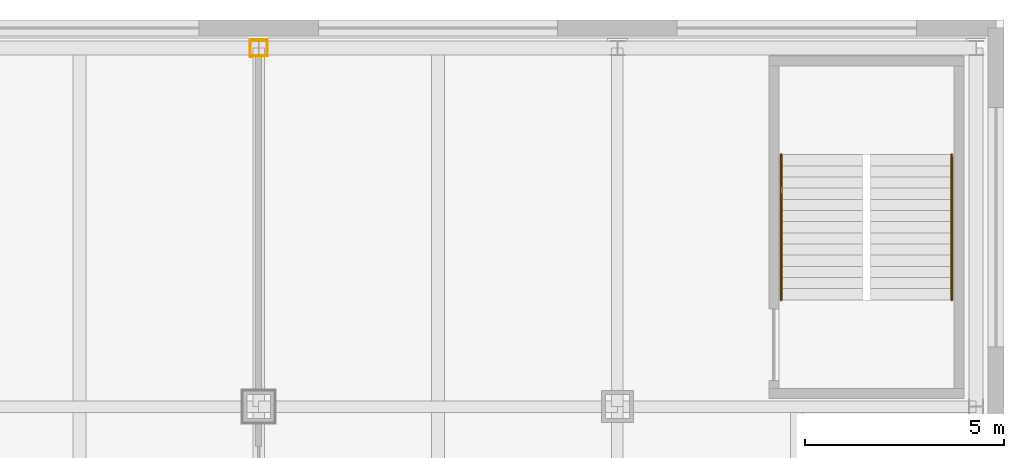
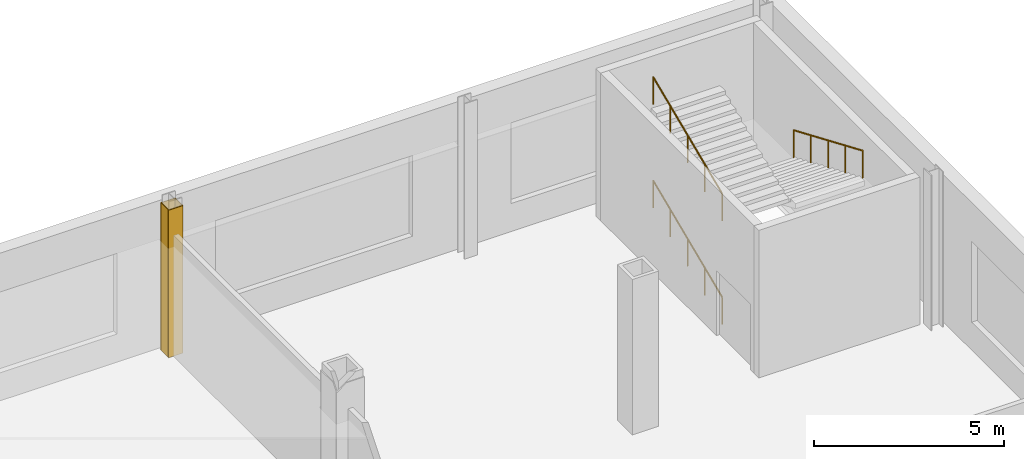
# One storey, part 31 of 31: 4 coverings, 3 railings.
"""IFC4 building model written with IfcOpenShell, lengths in metres."""

import ifcopenshell
import ifcopenshell.guid

model = None  # the IFC model being written
_history = None  # IfcOwnerHistory: only IFC2X3 demands one
_inside = {}  # id of a spatial element -> (the spatial element, [elements in it])
_under = {}  # id of a project, library or spatial element -> (it, [spatial elements below it])
_declared = {}  # id of a project -> (the project, [libraries it declares])
_typed = {}  # id of a type object -> (the type object, [elements of that type])
_made_of = {}  # id of a material, layer set ... -> (it, [elements and type objects made of it])


def new_model(schema):
    """Start an empty IFC model of exactly this schema.

    Asked for "IFC4X3", IfcOpenShell would pick the latest addendum, in which some entities
    have other attributes; the version numbers below select the first issue.
    IFC2X3 requires an IfcOwnerHistory on every rooted entity: one is made here for all.
    """
    global model, _history
    if schema == "IFC4X3":
        model = ifcopenshell.file(schema_version=(4, 3, 0, 0))
    else:
        model = ifcopenshell.file(schema=schema)
    _inside.clear()
    _under.clear()
    _declared.clear()
    _typed.clear()
    _made_of.clear()
    _history = None
    if model.schema == "IFC2X3":
        org = make("IfcOrganization", Name="unknown")
        user = make(
            "IfcPersonAndOrganization",
            ThePerson=make("IfcPerson", FamilyName="unknown"),
            TheOrganization=org,
        )
        app = make(
            "IfcApplication",
            ApplicationDeveloper=org,
            Version="unknown",
            ApplicationFullName="unknown",
            ApplicationIdentifier="unknown",
        )
        _history = make(
            "IfcOwnerHistory",
            OwningUser=user,
            OwningApplication=app,
            ChangeAction="ADDED",
            CreationDate=0,
        )
    return model


def make(cls, **values):
    """One entity of the class cls with the attributes given. An attribute that is None is left unset."""
    return model.create_entity(
        cls, **{name: value for name, value in values.items() if value is not None}
    )


def rooted(cls, **values):
    """An entity with a GlobalId (a new one), such as an element, a storey or a relation."""
    return make(cls, GlobalId=ifcopenshell.guid.new(), OwnerHistory=_history, **values)


def si_unit(unit_type, name, prefix=None):
    """IfcSIUnit, for example si_unit("LENGTHUNIT", "METRE", prefix="MILLI")."""
    return make("IfcSIUnit", UnitType=unit_type, Prefix=prefix, Name=name)


def assignment(units):
    """IfcUnitAssignment: the units of a project."""
    return None if units is None else make("IfcUnitAssignment", Units=units)


def point(xyz):
    """IfcCartesianPoint."""
    return None if xyz is None else make("IfcCartesianPoint", Coordinates=xyz)


def direction(xyz):
    """IfcDirection."""
    return None if xyz is None else make("IfcDirection", DirectionRatios=xyz)


def frame(location, z_axis=None, x_axis=None):
    """IfcAxis2Placement3D, a coordinate frame: its origin and axes. An axis left out is left unset."""
    return make(
        "IfcAxis2Placement3D",
        Location=point(location),
        Axis=direction(z_axis),
        RefDirection=direction(x_axis),
    )


def frame_2d(location, x_axis=None):
    """IfcAxis2Placement2D, a coordinate frame in the plane: its origin and x axis."""
    return make(
        "IfcAxis2Placement2D", Location=point(location), RefDirection=direction(x_axis)
    )


def origin():
    """The frame at (0, 0, 0) with its axes left unset."""
    return frame((0.0, 0.0, 0.0))


def origin_2d():
    """The frame at (0, 0) in the plane with its x axis left unset."""
    return frame_2d((0.0, 0.0))


def place(relative_to, where):
    """IfcLocalPlacement: puts the frame where relative to a parent placement (None: the world)."""
    return make(
        "IfcLocalPlacement", PlacementRelTo=relative_to, RelativePlacement=where
    )


def context(
    kind, dimensions, precision=None, world=None, true_north=None, identifier=None
):
    """IfcGeometricRepresentationContext, for example the 3D "Model" context."""
    return make(
        "IfcGeometricRepresentationContext",
        ContextIdentifier=identifier,
        ContextType=kind,
        CoordinateSpaceDimension=dimensions,
        Precision=precision,
        WorldCoordinateSystem=world,
        TrueNorth=true_north,
    )


def subcontext(parent, identifier, kind, view, scale=None):
    """IfcGeometricRepresentationSubContext, for example "Body" below "Model"."""
    return make(
        "IfcGeometricRepresentationSubContext",
        ContextIdentifier=identifier,
        ContextType=kind,
        ParentContext=parent,
        TargetScale=scale,
        TargetView=view,
    )


def project(units=None, contexts=None):
    """IfcProject with its units and contexts."""
    return rooted(
        "IfcProject",
        Name="project",
        RepresentationContexts=contexts,
        UnitsInContext=assignment(units),
    )


def spatial(cls, under=None, at=None, **own):
    """A site, building, storey or space (cls), placed at a placement, below another one or the project."""
    s = rooted(cls, ObjectPlacement=at, **own)
    if under is not None:
        _under.setdefault(under.id(), (under, []))[1].append(s)
    return s


def profile(cls, at=None, kind="AREA", **sizes):
    """A parametric profile (cls). Its sizes go by their IFC names, for example OverallWidth=200.0."""
    return make(cls, ProfileType=kind, Position=at, **sizes)


def rectangle(**sizes):
    """IfcRectangleProfileDef."""
    return profile("IfcRectangleProfileDef", **sizes)


def circle(**sizes):
    """IfcCircleProfileDef."""
    return profile("IfcCircleProfileDef", **sizes)


def extrude(swept, where, along, depth):
    """IfcExtrudedAreaSolid: the profile swept, set in the frame where, extruded along a direction by depth."""
    return make(
        "IfcExtrudedAreaSolid",
        SweptArea=swept,
        Position=where,
        ExtrudedDirection=direction(along),
        Depth=depth,
    )


def shape(context_of_items, identifier, shape_type, items):
    """IfcShapeRepresentation: the items that make up one representation, for example the "Body"."""
    return make(
        "IfcShapeRepresentation",
        ContextOfItems=context_of_items,
        RepresentationIdentifier=identifier,
        RepresentationType=shape_type,
        Items=items,
    )


def material(Name=None, Category=None):
    """IfcMaterial."""
    return make("IfcMaterial", Name=Name, Category=Category)


def layer(
    of_material, thickness, ventilated=None, Name=None, Category=None, Priority=None
):
    """IfcMaterialLayer: one layer of a wall or slab, of a material (None: an air gap)."""
    return make(
        "IfcMaterialLayer",
        Material=of_material,
        LayerThickness=thickness,
        IsVentilated=ventilated,
        Name=Name,
        Category=Category,
        Priority=Priority,
    )


def layer_set(layers, Name=None):
    """IfcMaterialLayerSet."""
    return make("IfcMaterialLayerSet", MaterialLayers=layers, LayerSetName=Name)


def made_of(thing, what):
    """Note that an element or type object is made of a material, layer set ...; save() writes the relation."""
    if what is not None:
        _made_of.setdefault(what.id(), (what, []))[1].append(thing)
    return thing


def type_object(cls, material=None, **own):
    """A type object (cls), such as IfcWallType, which elements share."""
    return made_of(rooted(cls, **own), material)


def element(
    cls,
    number,
    at=None,
    inside=None,
    cuts=None,
    type_object=None,
    material=None,
    context=None,
    identifier="Body",
    shape_type=None,
    held_by="IfcProductDefinitionShape",
    body=None,
    shapes=None,
    **own,
):
    """One element of the class cls, such as IfcWall. Its Tag is "e" and its number.

    at: its placement. inside: the storey or other place that contains it. cuts: it is an
    opening in that element (IfcRelVoidsElement). A single representation is given by context,
    identifier, shape_type and body (its items); several are given by shapes. held_by: the class
    of the entity that holds the representations. save() writes the other relations.
    """
    e = rooted(cls, Tag="e%d" % number, ObjectPlacement=at, **own)
    if body is not None:
        shapes = [shape(context, identifier, shape_type, body)]
    if shapes is not None:
        e.Representation = make(held_by, Representations=shapes)
    if inside is not None:
        _inside.setdefault(inside.id(), (inside, []))[1].append(e)
    if cuts is not None:
        rooted(
            "IfcRelVoidsElement", RelatingBuildingElement=cuts, RelatedOpeningElement=e
        )
    if type_object is not None:
        _typed.setdefault(type_object.id(), (type_object, []))[1].append(e)
    return made_of(e, material)


def aggregate(whole, parts):
    """IfcRelAggregates: a whole, such as a stair, and the parts it consists of."""
    return rooted("IfcRelAggregates", RelatingObject=whole, RelatedObjects=parts)


def save(model, path):
    """Write the relations noted so far, then the file.

    IfcRelAggregates (storeys below a building ...), IfcRelContainedInSpatialStructure (elements
    in a storey), IfcRelDefinesByType, IfcRelAssociatesMaterial and IfcRelDeclares: one each for
    every whole, place, type object, material and project.
    """
    for whole, parts in _under.values():
        aggregate(whole, parts)
    for where, things in _inside.values():
        rooted(
            "IfcRelContainedInSpatialStructure",
            RelatedElements=things,
            RelatingStructure=where,
        )
    for kind, things in _typed.values():
        rooted("IfcRelDefinesByType", RelatedObjects=things, RelatingType=kind)
    for what, things in _made_of.values():
        rooted("IfcRelAssociatesMaterial", RelatedObjects=things, RelatingMaterial=what)
    for by, libraries in _declared.values():
        rooted("IfcRelDeclares", RelatingContext=by, RelatedDefinitions=libraries)
    model.write(path)


model = new_model("IFC4")

# Units and contexts
model_context = context("Model", 3, precision=1e-05, world=origin(), true_north=direction((0.0, 1.0)))
body_context = subcontext(model_context, "Body", "Model", "MODEL_VIEW")
ifc_project = project(units=[si_unit("LENGTHUNIT", "METRE"), si_unit("AREAUNIT", "SQUARE_METRE"), si_unit("VOLUMEUNIT", "CUBIC_METRE"), si_unit("PLANEANGLEUNIT", "RADIAN"), si_unit("MASSUNIT", "GRAM", prefix="KILO")], contexts=[model_context])

# Site, building, storey
site_placement = place(None, origin())
site = spatial("IfcSite", under=ifc_project, at=site_placement, CompositionType="ELEMENT")
building_placement = place(site_placement, origin())
building = spatial("IfcBuilding", under=site, at=building_placement, Name="Loomwork Tower", CompositionType="ELEMENT")
storey_placement = place(building_placement, frame((0.0, 0.0, 11.0)))
storey = spatial("IfcBuildingStorey", under=building, at=storey_placement, Name="L02", CompositionType="ELEMENT", Elevation=11.0)

# Coverings
ifc_material_1 = material(Name="Two-hour fire-rated gypsum board casing")
ifc_layer = layer(ifc_material_1, 0.02490234375)
ifc_layer_set = layer_set([ifc_layer], Name="Column fire casing 25")
covering_type = type_object("IfcCoveringType", Name="Column fire casing 25", PredefinedType="CLADDING", material=ifc_layer_set)
for number, where, z_axis, x_axis, name in (
    (1, (45.0, 45.200439453125, 0.0), (0.0, 0.0, 1.0), (1.0, 0.0, 0.0), "Column casing 45 45 L02"),
    (2, (45.0, 44.799560546875, 0.0), (0.0, 0.0, 1.0), (1.0, 0.0, 0.0), "Column casing 45 45 L02"),
):
    element("IfcCovering", number, at=place(storey_placement, frame(where, z_axis=z_axis, x_axis=x_axis)), inside=storey, type_object=covering_type, Name=name, PredefinedType="CLADDING", context=body_context, shape_type="SweptSolid", body=[
        extrude(rectangle(XDim=0.443603515625, YDim=0.02490234375, at=origin_2d()), origin(), (0.0, 0.0, 1.0), 4.75),
    ])
for number, where, z_axis, x_axis, name in (
    (3, (45.20947265625, 45.0, 0.0), (0.0, 0.0, 1.0), (1.0, 0.0, 0.0), "Column casing 45 45 L02"),
    (4, (44.79052734375, 45.0, 0.0), (0.0, 0.0, 1.0), (1.0, 0.0, 0.0), "Column casing 45 45 L02"),
):
    element("IfcCovering", number, at=place(storey_placement, frame(where, z_axis=z_axis, x_axis=x_axis)), inside=storey, type_object=covering_type, Name=name, PredefinedType="CLADDING", context=body_context, shape_type="SweptSolid", body=[
        extrude(rectangle(XDim=0.02490234375, YDim=0.3759765625, at=origin_2d()), origin(), (0.0, 0.0, 1.0), 4.75),
    ])

# Railings
ifc_material_2 = material(Name="Stainless steel handrail", Category="steel")
railing_type = type_object("IfcRailingType", Name="Handrail 900", PredefinedType="HANDRAIL", material=ifc_material_2)
railing_1_placement = place(storey_placement, frame((58.110107421875, 38.679931640625, 0.118896484375)))
element("IfcRailing", 5, at=railing_1_placement, inside=storey, type_object=railing_type, Name="Podium stair PS4 handrail flight 1 L02", PredefinedType="HANDRAIL", context=body_context, shape_type="SweptSolid", body=[
    extrude(circle(Radius=0.02392578125, at=origin_2d()), frame((0.0, 0.0, 0.8759765625), z_axis=(0.0, 0.920258693564, 0.391310537706), x_axis=(-1.0, 0.0, 0.0)), (0.0, 0.0, 1.0), 3.95556640625),
    extrude(circle(Radius=0.02099609375, at=origin_2d()), origin(), (0.0, 0.0, 1.0), 0.851806640625),
    extrude(circle(Radius=0.02099609375, at=origin_2d()), frame((0.0, 0.91015625, 0.386962890625)), (0.0, 0.0, 1.0), 0.851806640625),
    extrude(circle(Radius=0.02099609375, at=origin_2d()), frame((0.0, 1.820068359375, 0.77392578125)), (0.0, 0.0, 1.0), 0.851806640625),
    extrude(circle(Radius=0.02099609375, at=origin_2d()), frame((0.0, 2.72998046875, 1.160888671875)), (0.0, 0.0, 1.0), 0.851806640625),
    extrude(circle(Radius=0.02099609375, at=origin_2d()), frame((0.0, 3.64013671875, 1.5478515625)), (0.0, 0.0, 1.0), 0.851806640625),
])
railing_2_placement = place(storey_placement, frame((62.389892578125, 42.320068359375, 1.78564453125)))
element("IfcRailing", 6, at=railing_2_placement, inside=storey, type_object=railing_type, Name="Podium stair PS4 handrail flight 2 L02", PredefinedType="HANDRAIL", context=body_context, shape_type="SweptSolid", body=[
    extrude(circle(Radius=0.02392578125, at=origin_2d()), frame((0.0, 0.0, 0.8759765625), z_axis=(0.0, -0.920258693564, 0.391310537706), x_axis=(1.0, 0.0, 0.0)), (0.0, 0.0, 1.0), 3.95556640625),
    extrude(circle(Radius=0.02099609375, at=origin_2d()), origin(), (0.0, 0.0, 1.0), 0.851806640625),
    extrude(circle(Radius=0.02099609375, at=origin_2d()), frame((0.0, -0.91015625, 0.386962890625)), (0.0, 0.0, 1.0), 0.851806640625),
    extrude(circle(Radius=0.02099609375, at=origin_2d()), frame((0.0, -1.820068359375, 0.77392578125)), (0.0, 0.0, 1.0), 0.851806640625),
    extrude(circle(Radius=0.02099609375, at=origin_2d()), frame((0.0, -2.72998046875, 1.160888671875)), (0.0, 0.0, 1.0), 0.851806640625),
    extrude(circle(Radius=0.02099609375, at=origin_2d()), frame((0.0, -3.64013671875, 1.5478515625)), (0.0, 0.0, 1.0), 0.851806640625),
])
railing_3_placement = place(storey_placement, frame((58.110107421875, 38.679931640625, 3.452392578125)))
element("IfcRailing", 7, at=railing_3_placement, inside=storey, type_object=railing_type, Name="Podium stair PS4 handrail flight 3 L02", PredefinedType="HANDRAIL", context=body_context, shape_type="SweptSolid", body=[
    extrude(circle(Radius=0.02392578125, at=origin_2d()), frame((0.0, 0.0, 0.8759765625), z_axis=(0.0, 0.920280918742, 0.391258265855), x_axis=(-1.0, 0.0, 0.0)), (0.0, 0.0, 1.0), 3.95556640625),
    extrude(circle(Radius=0.02099609375, at=origin_2d()), origin(), (0.0, 0.0, 1.0), 0.851806640625),
    extrude(circle(Radius=0.02099609375, at=origin_2d()), frame((0.0, 0.91015625, 0.386962890625)), (0.0, 0.0, 1.0), 0.851806640625),
    extrude(circle(Radius=0.02099609375, at=origin_2d()), frame((0.0, 1.820068359375, 0.77392578125)), (0.0, 0.0, 1.0), 0.851806640625),
    extrude(circle(Radius=0.02099609375, at=origin_2d()), frame((0.0, 2.72998046875, 1.16064453125)), (0.0, 0.0, 1.0), 0.851806640625),
    extrude(circle(Radius=0.02099609375, at=origin_2d()), frame((0.0, 3.64013671875, 1.547607421875)), (0.0, 0.0, 1.0), 0.851806640625),
])

save(model, "model.ifc")
